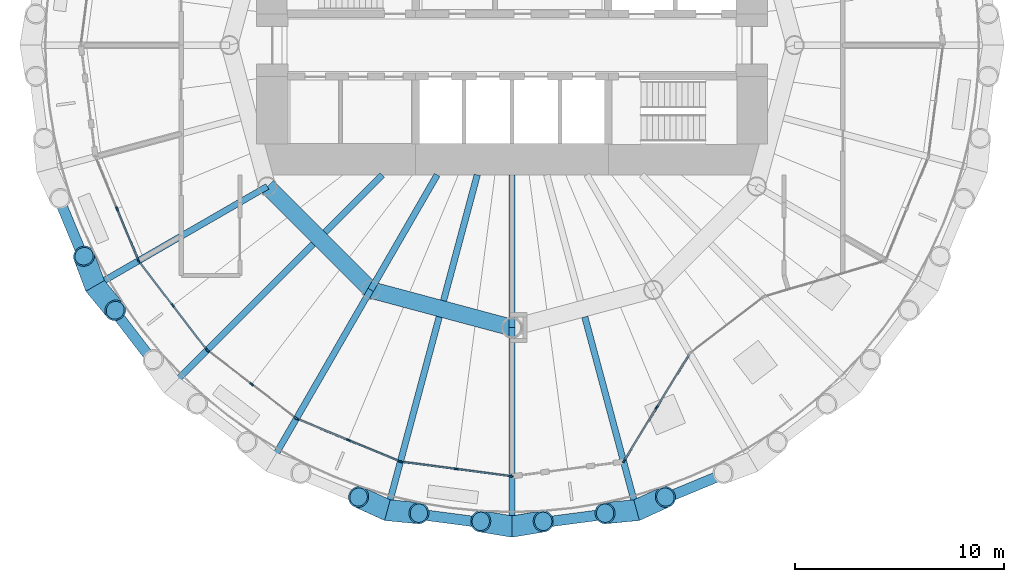
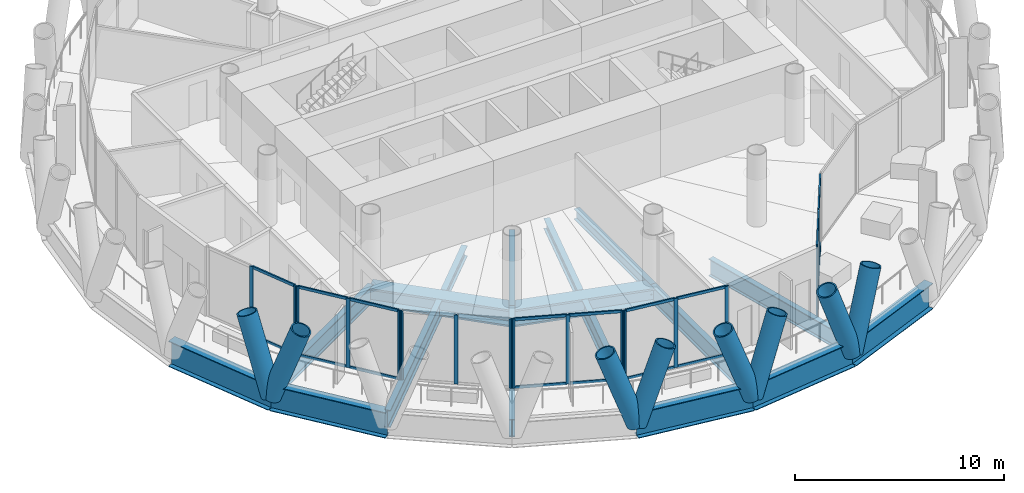
# One storey, part 2 of 14: 42 members, 17 beams, 6 elements without a shape of their own.
"""IFC4 building model written with IfcOpenShell, lengths in metres."""

from ifc_helpers import new_model, si_unit, direction, frame, origin, origin_2d, place, context, subcontext, project, spatial, rectangle, hollow_circle, i_section, extrude, material, material_profile, profile_set, type_object, element, aggregate, save


model = new_model("IFC4")

# Units and contexts
model_context = context("Model", 3, precision=1e-05, world=origin(), true_north=direction((0.0, 1.0)))
body_context = subcontext(model_context, "Body", "Model", "MODEL_VIEW")
ifc_project = project(units=[si_unit("LENGTHUNIT", "METRE"), si_unit("AREAUNIT", "SQUARE_METRE"), si_unit("VOLUMEUNIT", "CUBIC_METRE"), si_unit("PLANEANGLEUNIT", "RADIAN"), si_unit("MASSUNIT", "GRAM", prefix="KILO")], contexts=[model_context])

# Site, building, storey
site_placement = place(None, origin())
site = spatial("IfcSite", under=ifc_project, at=site_placement, CompositionType="ELEMENT")
building_placement = place(site_placement, origin())
building = spatial("IfcBuilding", under=site, at=building_placement, Name="Qaws Media Tower", CompositionType="ELEMENT")
storey_placement = place(building_placement, frame((0.0, 0.0, 210.800048828125)))
storey = spatial("IfcBuildingStorey", under=building, at=storey_placement, Name="L48", CompositionType="ELEMENT", Elevation=210.800048828125)

# Curtain wall, members
ifc_material_1 = material(Name="Aluminium and clear glass", Category="aluminium")
curtain_wall_type_1 = type_object("IfcCurtainWallType", Name="Unitised curtain wall CW-C", PredefinedType="NOTDEFINED", material=ifc_material_1)
curtain_wall_1_placement = place(storey_placement, origin())
curtain_wall_1 = element("IfcCurtainWall", 1, at=curtain_wall_1_placement, inside=storey, type_object=curtain_wall_type_1, Name="CWC curtain wall L48-14", PredefinedType="NOTDEFINED")
ifc_material_2 = material(Name="Aluminium mullion", Category="aluminium")
ifc_material_profile_1 = material_profile(ifc_material_2, rectangle(XDim=0.080078125, YDim=0.199951171875, at=origin_2d()), Name="80x200")
ifc_profile_set_1 = profile_set([ifc_material_profile_1], Name="Aluminium mullion")
member_type_1 = type_object("IfcMemberType", Name="Curtain wall mullion 80x200", PredefinedType="MULLION", material=ifc_profile_set_1)
member_1_placement = place(storey_placement, frame((41.130859375, 42.18408203125, 0.0), z_axis=(0.0, 0.0, 1.0), x_axis=(0.923879521985, 0.382683457778, 0.0)))
member_1 = element("IfcMember", 2, at=member_1_placement, type_object=member_type_1, Name="CWC mullion 2", PredefinedType="MULLION", context=body_context, shape_type="SweptSolid", body=[
    extrude(rectangle(XDim=0.080078125, YDim=0.199951171875, at=origin_2d()), origin(), (0.0, 0.0, 1.0), 4.0400390625),
])
member_2_placement = place(storey_placement, frame((42.14453125, 39.737060546875, 0.0), z_axis=(0.0, 0.0, 1.0), x_axis=(0.923879521985, 0.382683457778, 0.0)))
member_2 = element("IfcMember", 3, at=member_2_placement, type_object=member_type_1, Name="CWC mullion 3", PredefinedType="MULLION", context=body_context, shape_type="SweptSolid", body=[
    extrude(rectangle(XDim=0.080078125, YDim=0.199951171875, at=origin_2d()), origin(), (0.0, 0.0, 1.0), 4.0400390625),
])

curtain_wall_2_placement = place(storey_placement, origin())
curtain_wall_2 = element("IfcCurtainWall", 4, at=curtain_wall_2_placement, inside=storey, type_object=curtain_wall_type_1, Name="CWC curtain wall L48-15", PredefinedType="NOTDEFINED")
member_3_placement = place(storey_placement, frame((42.184326171875, 39.668212890625, 0.0), z_axis=(0.0, 0.0, 1.0), x_axis=(0.793353417662, 0.608761328178, 0.0)))
member_3 = element("IfcMember", 5, at=member_3_placement, type_object=member_type_1, Name="CWC mullion 1", PredefinedType="MULLION", context=body_context, shape_type="SweptSolid", body=[
    extrude(rectangle(XDim=0.080078125, YDim=0.199951171875, at=origin_2d()), origin(), (0.0, 0.0, 1.0), 4.0400390625),
])
member_4_placement = place(storey_placement, frame((43.796630859375, 37.56689453125, 0.0), z_axis=(0.0, 0.0, 1.0), x_axis=(0.793353417662, 0.608761328178, 0.0)))
member_4 = element("IfcMember", 6, at=member_4_placement, type_object=member_type_1, Name="CWC mullion 2", PredefinedType="MULLION", context=body_context, shape_type="SweptSolid", body=[
    extrude(rectangle(XDim=0.080078125, YDim=0.199951171875, at=origin_2d()), origin(), (0.0, 0.0, 1.0), 4.0400390625),
])
member_5_placement = place(storey_placement, frame((45.4091796875, 35.46533203125, 0.0), z_axis=(0.0, 0.0, 1.0), x_axis=(0.793353417662, 0.608761328178, 0.0)))
member_5 = element("IfcMember", 7, at=member_5_placement, type_object=member_type_1, Name="CWC mullion 3", PredefinedType="MULLION", context=body_context, shape_type="SweptSolid", body=[
    extrude(rectangle(XDim=0.080078125, YDim=0.199951171875, at=origin_2d()), origin(), (0.0, 0.0, 1.0), 4.0400390625),
])

curtain_wall_3_placement = place(storey_placement, origin())
curtain_wall_3 = element("IfcCurtainWall", 8, at=curtain_wall_3_placement, inside=storey, type_object=curtain_wall_type_1, Name="CWC curtain wall L48-16", PredefinedType="NOTDEFINED")
member_6_placement = place(storey_placement, frame((45.46533203125, 35.4091796875, 0.0), z_axis=(0.0, 0.0, 1.0), x_axis=(0.608761328178, 0.793353417662, 0.0)))
member_6 = element("IfcMember", 9, at=member_6_placement, type_object=member_type_1, Name="CWC mullion 1", PredefinedType="MULLION", context=body_context, shape_type="SweptSolid", body=[
    extrude(rectangle(XDim=0.080078125, YDim=0.199951171875, at=origin_2d()), origin(), (0.0, 0.0, 1.0), 4.0400390625),
])
member_7_placement = place(storey_placement, frame((47.56689453125, 33.796630859375, 0.0), z_axis=(0.0, 0.0, 1.0), x_axis=(0.608761328178, 0.793353417662, 0.0)))
member_7 = element("IfcMember", 10, at=member_7_placement, type_object=member_type_1, Name="CWC mullion 2", PredefinedType="MULLION", context=body_context, shape_type="SweptSolid", body=[
    extrude(rectangle(XDim=0.080078125, YDim=0.199951171875, at=origin_2d()), origin(), (0.0, 0.0, 1.0), 4.0400390625),
])
member_8_placement = place(storey_placement, frame((49.668212890625, 32.184326171875, 0.0), z_axis=(0.0, 0.0, 1.0), x_axis=(0.608761328178, 0.793353417662, 0.0)))
member_8 = element("IfcMember", 11, at=member_8_placement, type_object=member_type_1, Name="CWC mullion 3", PredefinedType="MULLION", context=body_context, shape_type="SweptSolid", body=[
    extrude(rectangle(XDim=0.080078125, YDim=0.199951171875, at=origin_2d()), origin(), (0.0, 0.0, 1.0), 4.0400390625),
])
aggregate(curtain_wall_3, [member_6, member_7, member_8])

curtain_wall_4_placement = place(storey_placement, origin())
curtain_wall_4 = element("IfcCurtainWall", 12, at=curtain_wall_4_placement, inside=storey, type_object=curtain_wall_type_1, Name="CWC curtain wall L48-17", PredefinedType="NOTDEFINED")
member_9_placement = place(storey_placement, frame((49.737060546875, 32.14453125, 0.0), z_axis=(0.0, 0.0, 1.0), x_axis=(0.382683457778, 0.923879521985, 0.0)))
member_9 = element("IfcMember", 13, at=member_9_placement, type_object=member_type_1, Name="CWC mullion 1", PredefinedType="MULLION", context=body_context, shape_type="SweptSolid", body=[
    extrude(rectangle(XDim=0.080078125, YDim=0.199951171875, at=origin_2d()), origin(), (0.0, 0.0, 1.0), 4.0400390625),
])
member_10_placement = place(storey_placement, frame((52.18408203125, 31.130859375, 0.0), z_axis=(0.0, 0.0, 1.0), x_axis=(0.382683457778, 0.923879521985, 0.0)))
member_10 = element("IfcMember", 14, at=member_10_placement, type_object=member_type_1, Name="CWC mullion 2", PredefinedType="MULLION", context=body_context, shape_type="SweptSolid", body=[
    extrude(rectangle(XDim=0.080078125, YDim=0.199951171875, at=origin_2d()), origin(), (0.0, 0.0, 1.0), 4.0400390625),
])
member_11_placement = place(storey_placement, frame((54.63134765625, 30.1171875, 0.0), z_axis=(0.0, 0.0, 1.0), x_axis=(0.382683457778, 0.923879521985, 0.0)))
member_11 = element("IfcMember", 15, at=member_11_placement, type_object=member_type_1, Name="CWC mullion 3", PredefinedType="MULLION", context=body_context, shape_type="SweptSolid", body=[
    extrude(rectangle(XDim=0.080078125, YDim=0.199951171875, at=origin_2d()), origin(), (0.0, 0.0, 1.0), 4.0400390625),
])

curtain_wall_5_placement = place(storey_placement, origin())
curtain_wall_5 = element("IfcCurtainWall", 16, at=curtain_wall_5_placement, inside=storey, type_object=curtain_wall_type_1, Name="CWC curtain wall L48-18", PredefinedType="NOTDEFINED")
member_12_placement = place(storey_placement, frame((54.7080078125, 30.0966796875, 0.0), z_axis=(0.0, 0.0, 1.0), x_axis=(0.130526204073, 0.991444859813, 0.0)))
member_12 = element("IfcMember", 17, at=member_12_placement, type_object=member_type_1, Name="CWC mullion 1", PredefinedType="MULLION", context=body_context, shape_type="SweptSolid", body=[
    extrude(rectangle(XDim=0.080078125, YDim=0.199951171875, at=origin_2d()), origin(), (0.0, 0.0, 1.0), 4.0400390625),
])
member_13_placement = place(storey_placement, frame((57.334228515625, 29.7509765625, 0.0), z_axis=(0.0, 0.0, 1.0), x_axis=(0.130526204073, 0.991444859813, 0.0)))
member_13 = element("IfcMember", 18, at=member_13_placement, type_object=member_type_1, Name="CWC mullion 2", PredefinedType="MULLION", context=body_context, shape_type="SweptSolid", body=[
    extrude(rectangle(XDim=0.080078125, YDim=0.199951171875, at=origin_2d()), origin(), (0.0, 0.0, 1.0), 4.0400390625),
])
member_14_placement = place(storey_placement, frame((59.96044921875, 29.4052734375, 0.0), z_axis=(0.0, 0.0, 1.0), x_axis=(0.130526204073, 0.991444859813, 0.0)))
member_14 = element("IfcMember", 19, at=member_14_placement, type_object=member_type_1, Name="CWC mullion 3", PredefinedType="MULLION", context=body_context, shape_type="SweptSolid", body=[
    extrude(rectangle(XDim=0.080078125, YDim=0.199951171875, at=origin_2d()), origin(), (0.0, 0.0, 1.0), 4.0400390625),
])

ifc_material_3 = material(Name="Aluminium and clear glass", Category="aluminium")
curtain_wall_type_2 = type_object("IfcCurtainWallType", Name="Loggia curtain wall CW-G", PredefinedType="NOTDEFINED", material=ifc_material_3)
curtain_wall_6_placement = place(storey_placement, origin())
curtain_wall_6 = element("IfcCurtainWall", 20, at=curtain_wall_6_placement, inside=storey, type_object=curtain_wall_type_2, Name="CWG curtain wall L48-20", PredefinedType="NOTDEFINED")
member_15_placement = place(storey_placement, frame((65.3525390625, 30.135986328125, 0.0), z_axis=(0.0, 0.0, 1.0), x_axis=(-0.85288294419, 0.52210217727, 0.0)))
member_15 = element("IfcMember", 21, at=member_15_placement, type_object=member_type_1, Name="CWG mullion 1", PredefinedType="MULLION", context=body_context, shape_type="SweptSolid", body=[
    extrude(rectangle(XDim=0.080078125, YDim=0.199951171875, at=origin_2d()), origin(), (0.0, 0.0, 1.0), 4.0400390625),
])
member_16_placement = place(storey_placement, frame((66.915771484375, 32.689697265625, 0.0), z_axis=(0.0, 0.0, 1.0), x_axis=(-0.85288294419, 0.52210217727, 0.0)))
member_16 = element("IfcMember", 22, at=member_16_placement, type_object=member_type_1, Name="CWG mullion 2", PredefinedType="MULLION", context=body_context, shape_type="SweptSolid", body=[
    extrude(rectangle(XDim=0.080078125, YDim=0.199951171875, at=origin_2d()), origin(), (0.0, 0.0, 1.0), 4.0400390625),
])

# Member
ifc_material_4 = material(Name="Aluminium transom", Category="aluminium")
ifc_material_profile_2 = material_profile(ifc_material_4, rectangle(XDim=0.080078125, YDim=0.159912109375, at=origin_2d()), Name="80x160")
ifc_profile_set_2 = profile_set([ifc_material_profile_2], Name="Aluminium transom")
member_type_2 = type_object("IfcMemberType", Name="Curtain wall transom 80x160", PredefinedType="USERDEFINED", material=ifc_profile_set_2)
member_17_placement = place(storey_placement, frame((41.146240234375, 42.147216796875, 0.0400390625), z_axis=(0.382637188535, -0.923898685977, 0.0), x_axis=(0.923898685977, 0.382637188535, 0.0)))
member_17 = element("IfcMember", 23, at=member_17_placement, type_object=member_type_2, Name="CWC transom 2.1", ObjectType="TRANSOM", PredefinedType="USERDEFINED", context=body_context, shape_type="SweptSolid", body=[
    extrude(rectangle(XDim=0.080078125, YDim=0.159912109375, at=origin_2d()), origin(), (0.0, 0.0, 1.0), 2.56884765625),
])

member_18_placement = place(storey_placement, frame((41.146240234375, 42.147216796875, 4.0), z_axis=(0.382637188535, -0.923898685977, 0.0), x_axis=(0.923898685977, 0.382637188535, 0.0)))
member_18 = element("IfcMember", 24, at=member_18_placement, type_object=member_type_2, Name="CWC transom 2.2", ObjectType="TRANSOM", PredefinedType="USERDEFINED", context=body_context, shape_type="SweptSolid", body=[
    extrude(rectangle(XDim=0.080078125, YDim=0.159912109375, at=origin_2d()), origin(), (0.0, 0.0, 1.0), 2.56884765625),
])

aggregate(curtain_wall_1, [member_1, member_2, member_17, member_18])

member_19_placement = place(storey_placement, frame((42.20849609375, 39.636474609375, 0.0400390625), z_axis=(0.608828522039, -0.793301853491, 0.0), x_axis=(0.793301853491, 0.608828522039, 0.0)))
member_19 = element("IfcMember", 25, at=member_19_placement, type_object=member_type_2, Name="CWC transom 1.1", ObjectType="TRANSOM", PredefinedType="USERDEFINED", context=body_context, shape_type="SweptSolid", body=[
    extrude(rectangle(XDim=0.080078125, YDim=0.159912109375, at=origin_2d()), origin(), (0.0, 0.0, 1.0), 2.56884765625),
])

member_20_placement = place(storey_placement, frame((42.20849609375, 39.636474609375, 4.0), z_axis=(0.608828522039, -0.793301853491, 0.0), x_axis=(0.793301853491, 0.608828522039, 0.0)))
member_20 = element("IfcMember", 26, at=member_20_placement, type_object=member_type_2, Name="CWC transom 1.2", ObjectType="TRANSOM", PredefinedType="USERDEFINED", context=body_context, shape_type="SweptSolid", body=[
    extrude(rectangle(XDim=0.080078125, YDim=0.159912109375, at=origin_2d()), origin(), (0.0, 0.0, 1.0), 2.56884765625),
])

member_21_placement = place(storey_placement, frame((43.821044921875, 37.53515625, 0.0400390625), z_axis=(0.608782621434, -0.793337078322, 0.0), x_axis=(0.793337078322, 0.608782621434, 0.0)))
member_21 = element("IfcMember", 27, at=member_21_placement, type_object=member_type_2, Name="CWC transom 2.1", ObjectType="TRANSOM", PredefinedType="USERDEFINED", context=body_context, shape_type="SweptSolid", body=[
    extrude(rectangle(XDim=0.080078125, YDim=0.159912109375, at=origin_2d()), origin(), (0.0, 0.0, 1.0), 2.569091796875),
])

member_22_placement = place(storey_placement, frame((43.821044921875, 37.53515625, 4.0), z_axis=(0.608782621434, -0.793337078322, 0.0), x_axis=(0.793337078322, 0.608782621434, 0.0)))
member_22 = element("IfcMember", 28, at=member_22_placement, type_object=member_type_2, Name="CWC transom 2.2", ObjectType="TRANSOM", PredefinedType="USERDEFINED", context=body_context, shape_type="SweptSolid", body=[
    extrude(rectangle(XDim=0.080078125, YDim=0.159912109375, at=origin_2d()), origin(), (0.0, 0.0, 1.0), 2.569091796875),
])

aggregate(curtain_wall_2, [member_3, member_4, member_5, member_19, member_20, member_21, member_22])

member_23_placement = place(storey_placement, frame((49.77392578125, 32.129150390625, 0.0400390625), z_axis=(0.923898685977, -0.382637188535, 0.0), x_axis=(0.382637188535, 0.923898685977, 0.0)))
member_23 = element("IfcMember", 29, at=member_23_placement, type_object=member_type_2, Name="CWC transom 1.1", ObjectType="TRANSOM", PredefinedType="USERDEFINED", context=body_context, shape_type="SweptSolid", body=[
    extrude(rectangle(XDim=0.080078125, YDim=0.159912109375, at=origin_2d()), origin(), (0.0, 0.0, 1.0), 2.56884765625),
])

member_24_placement = place(storey_placement, frame((49.77392578125, 32.129150390625, 4.0), z_axis=(0.923898685977, -0.382637188535, 0.0), x_axis=(0.382637188535, 0.923898685977, 0.0)))
member_24 = element("IfcMember", 30, at=member_24_placement, type_object=member_type_2, Name="CWC transom 1.2", ObjectType="TRANSOM", PredefinedType="USERDEFINED", context=body_context, shape_type="SweptSolid", body=[
    extrude(rectangle(XDim=0.080078125, YDim=0.159912109375, at=origin_2d()), origin(), (0.0, 0.0, 1.0), 2.56884765625),
])

member_25_placement = place(storey_placement, frame((52.22119140625, 31.115478515625, 0.0400390625), z_axis=(0.923898685977, -0.382637188535, 0.0), x_axis=(0.382637188535, 0.923898685977, 0.0)))
member_25 = element("IfcMember", 31, at=member_25_placement, type_object=member_type_2, Name="CWC transom 2.1", ObjectType="TRANSOM", PredefinedType="USERDEFINED", context=body_context, shape_type="SweptSolid", body=[
    extrude(rectangle(XDim=0.080078125, YDim=0.159912109375, at=origin_2d()), origin(), (0.0, 0.0, 1.0), 2.56884765625),
])

member_26_placement = place(storey_placement, frame((52.22119140625, 31.115478515625, 4.0), z_axis=(0.923898685977, -0.382637188535, 0.0), x_axis=(0.382637188535, 0.923898685977, 0.0)))
member_26 = element("IfcMember", 32, at=member_26_placement, type_object=member_type_2, Name="CWC transom 2.2", ObjectType="TRANSOM", PredefinedType="USERDEFINED", context=body_context, shape_type="SweptSolid", body=[
    extrude(rectangle(XDim=0.080078125, YDim=0.159912109375, at=origin_2d()), origin(), (0.0, 0.0, 1.0), 2.56884765625),
])

aggregate(curtain_wall_4, [member_9, member_10, member_11, member_23, member_24, member_25, member_26])

member_27_placement = place(storey_placement, frame((54.74755859375, 30.091552734375, 0.0400390625), z_axis=(0.991437466398, -0.130582350348, 0.0), x_axis=(0.130582350348, 0.991437466398, 0.0)))
member_27 = element("IfcMember", 33, at=member_27_placement, type_object=member_type_2, Name="CWC transom 1.1", ObjectType="TRANSOM", PredefinedType="USERDEFINED", context=body_context, shape_type="SweptSolid", body=[
    extrude(rectangle(XDim=0.080078125, YDim=0.159912109375, at=origin_2d()), origin(), (0.0, 0.0, 1.0), 2.56884765625),
])

member_28_placement = place(storey_placement, frame((54.74755859375, 30.091552734375, 4.0), z_axis=(0.991437466398, -0.130582350348, 0.0), x_axis=(0.130582350348, 0.991437466398, 0.0)))
member_28 = element("IfcMember", 34, at=member_28_placement, type_object=member_type_2, Name="CWC transom 1.2", ObjectType="TRANSOM", PredefinedType="USERDEFINED", context=body_context, shape_type="SweptSolid", body=[
    extrude(rectangle(XDim=0.080078125, YDim=0.159912109375, at=origin_2d()), origin(), (0.0, 0.0, 1.0), 2.56884765625),
])

member_29_placement = place(storey_placement, frame((57.373779296875, 29.745849609375, 0.0400390625), z_axis=(0.991437466398, -0.130582350348, 0.0), x_axis=(0.130582350348, 0.991437466398, 0.0)))
member_29 = element("IfcMember", 35, at=member_29_placement, type_object=member_type_2, Name="CWC transom 2.1", ObjectType="TRANSOM", PredefinedType="USERDEFINED", context=body_context, shape_type="SweptSolid", body=[
    extrude(rectangle(XDim=0.080078125, YDim=0.159912109375, at=origin_2d()), origin(), (0.0, 0.0, 1.0), 2.56884765625),
])

member_30_placement = place(storey_placement, frame((57.373779296875, 29.745849609375, 4.0), z_axis=(0.991437466398, -0.130582350348, 0.0), x_axis=(0.130582350348, 0.991437466398, 0.0)))
member_30 = element("IfcMember", 36, at=member_30_placement, type_object=member_type_2, Name="CWC transom 2.2", ObjectType="TRANSOM", PredefinedType="USERDEFINED", context=body_context, shape_type="SweptSolid", body=[
    extrude(rectangle(XDim=0.080078125, YDim=0.159912109375, at=origin_2d()), origin(), (0.0, 0.0, 1.0), 2.56884765625),
])

aggregate(curtain_wall_5, [member_12, member_13, member_14, member_27, member_28, member_29, member_30])

member_31_placement = place(storey_placement, frame((65.37353515625, 30.170166015625, 0.0400390625), z_axis=(0.522114063156, 0.852875667993, 0.0), x_axis=(-0.852875667993, 0.522114063156, 0.0)))
member_31 = element("IfcMember", 37, at=member_31_placement, type_object=member_type_2, Name="CWG transom 1.1", ObjectType="TRANSOM", PredefinedType="USERDEFINED", context=body_context, shape_type="SweptSolid", body=[
    extrude(rectangle(XDim=0.080078125, YDim=0.159912109375, at=origin_2d()), origin(), (0.0, 0.0, 1.0), 2.9140625),
])

member_32_placement = place(storey_placement, frame((65.37353515625, 30.170166015625, 4.0), z_axis=(0.522114063156, 0.852875667993, 0.0), x_axis=(-0.852875667993, 0.522114063156, 0.0)))
member_32 = element("IfcMember", 38, at=member_32_placement, type_object=member_type_2, Name="CWG transom 1.2", ObjectType="TRANSOM", PredefinedType="USERDEFINED", context=body_context, shape_type="SweptSolid", body=[
    extrude(rectangle(XDim=0.080078125, YDim=0.159912109375, at=origin_2d()), origin(), (0.0, 0.0, 1.0), 2.9140625),
])

member_33_placement = place(storey_placement, frame((66.936767578125, 32.723876953125, 0.0400390625), z_axis=(0.522114063156, 0.852875667993, 0.0), x_axis=(-0.852875667993, 0.522114063156, 0.0)))
member_33 = element("IfcMember", 39, at=member_33_placement, type_object=member_type_2, Name="CWG transom 2.1", ObjectType="TRANSOM", PredefinedType="USERDEFINED", context=body_context, shape_type="SweptSolid", body=[
    extrude(rectangle(XDim=0.080078125, YDim=0.159912109375, at=origin_2d()), origin(), (0.0, 0.0, 1.0), 2.9140625),
])

member_34_placement = place(storey_placement, frame((66.936767578125, 32.723876953125, 4.0), z_axis=(0.522114063156, 0.852875667993, 0.0), x_axis=(-0.852875667993, 0.522114063156, 0.0)))
member_34 = element("IfcMember", 40, at=member_34_placement, type_object=member_type_2, Name="CWG transom 2.2", ObjectType="TRANSOM", PredefinedType="USERDEFINED", context=body_context, shape_type="SweptSolid", body=[
    extrude(rectangle(XDim=0.080078125, YDim=0.159912109375, at=origin_2d()), origin(), (0.0, 0.0, 1.0), 2.9140625),
])

aggregate(curtain_wall_6, [member_15, member_16, member_31, member_32, member_33, member_34])

# Members
ifc_material_5 = material(Name="Steel S460", Category="steel")
ifc_material_profile_3 = material_profile(ifc_material_5, hollow_circle(Radius=0.508056640625, WallThickness=0.070068359375, at=origin_2d()), Name="CHS 1016x70")
ifc_profile_set_3 = profile_set([ifc_material_profile_3], Name="Steel S460")
member_type_3 = type_object("IfcMemberType", Name="Diagrid member CHS 1016x70", PredefinedType="USERDEFINED", material=ifc_profile_set_3)
member_35_placement = place(storey_placement, frame((40.081298828125, 38.5, -0.91015625), z_axis=(0.215318005555, -0.26142241975, 0.940901947567), x_axis=(0.771888281677, 0.635758193506, 0.0)))
element("IfcMember", 41, at=member_35_placement, inside=storey, type_object=member_type_3, Name="DG3 diagrid L48 A15", ObjectType="DIAGRID", PredefinedType="USERDEFINED", context=body_context, shape_type="SweptSolid", body=[
    extrude(hollow_circle(Radius=0.508056640625, WallThickness=0.070068359375, at=origin_2d()), origin(), (0.0, 0.0, 1.0), 4.464111328125),
])
member_36_placement = place(storey_placement, frame((40.081298828125, 38.5, -0.91015625), z_axis=(-0.118735101088, 0.317155620088, 0.940911413692), x_axis=(-0.936521506009, -0.350610137877, 0.0)))
element("IfcMember", 42, at=member_36_placement, inside=storey, type_object=member_type_3, Name="DG3 diagrid L48 B15", ObjectType="DIAGRID", PredefinedType="USERDEFINED", context=body_context, shape_type="SweptSolid", body=[
    extrude(hollow_circle(Radius=0.508056640625, WallThickness=0.070068359375, at=origin_2d()), origin(), (0.0, 0.0, 1.0), 4.4638671875),
])
member_37_placement = place(storey_placement, frame((54.047119140625, 27.78369140625, -0.91015625), z_axis=(0.337113722769, -0.032595681176, 0.940899494893), x_axis=(0.096241623704, 0.995358000855, 0.0)))
element("IfcMember", 43, at=member_37_placement, inside=storey, type_object=member_type_3, Name="DG3 diagrid L48 A18", ObjectType="DIAGRID", PredefinedType="USERDEFINED", context=body_context, shape_type="SweptSolid", body=[
    extrude(hollow_circle(Radius=0.508056640625, WallThickness=0.070068359375, at=origin_2d()), origin(), (0.0, 0.0, 1.0), 4.464111328125),
])
member_38_placement = place(storey_placement, frame((54.047119140625, 27.78369140625, -0.91015625), z_axis=(-0.308239958096, 0.140283089517, 0.940908488127), x_axis=(-0.414228753041, -0.910172807852, 0.0)))
element("IfcMember", 44, at=member_38_placement, inside=storey, type_object=member_type_3, Name="DG3 diagrid L48 B18", ObjectType="DIAGRID", PredefinedType="USERDEFINED", context=body_context, shape_type="SweptSolid", body=[
    extrude(hollow_circle(Radius=0.508056640625, WallThickness=0.070068359375, at=origin_2d()), origin(), (0.0, 0.0, 1.0), 4.4638671875),
])
for number, where, z_axis, x_axis, name in (
    (45, (60.0, 27.0, -0.91015625), (0.334053083144, 0.055730204932, 0.940905245973), (-0.164556108523, 0.986367724101, 0.0), "DG3 diagrid L48 A19"),
    (46, (60.0, 27.0, -0.91015625), (-0.334053083144, 0.055730204932, 0.940905245973), (-0.164556108523, -0.986367724101, 0.0), "DG3 diagrid L48 B19"),
):
    element("IfcMember", number, at=place(storey_placement, frame(where, z_axis=z_axis, x_axis=x_axis)), inside=storey, type_object=member_type_3, Name=name, ObjectType="DIAGRID", PredefinedType="USERDEFINED", context=body_context, shape_type="SweptSolid", body=[
        extrude(hollow_circle(Radius=0.508056640625, WallThickness=0.070068359375, at=origin_2d()), origin(), (0.0, 0.0, 1.0), 4.464111328125),
    ])
member_39_placement = place(storey_placement, frame((65.952880859375, 27.78369140625, -0.91015625), z_axis=(0.308239958096, 0.140283089517, 0.940908488127), x_axis=(-0.414228753041, 0.910172807852, 0.0)))
element("IfcMember", 47, at=member_39_placement, inside=storey, type_object=member_type_3, Name="DG3 diagrid L48 A20", ObjectType="DIAGRID", PredefinedType="USERDEFINED", context=body_context, shape_type="SweptSolid", body=[
    extrude(hollow_circle(Radius=0.508056640625, WallThickness=0.070068359375, at=origin_2d()), origin(), (0.0, 0.0, 1.0), 4.4638671875),
])
member_40_placement = place(storey_placement, frame((65.952880859375, 27.78369140625, -0.91015625), z_axis=(-0.337113722769, -0.032595681176, 0.940899494893), x_axis=(0.096241623704, -0.995358000855, 0.0)))
element("IfcMember", 48, at=member_40_placement, inside=storey, type_object=member_type_3, Name="DG3 diagrid L48 B20", ObjectType="DIAGRID", PredefinedType="USERDEFINED", context=body_context, shape_type="SweptSolid", body=[
    extrude(hollow_circle(Radius=0.508056640625, WallThickness=0.070068359375, at=origin_2d()), origin(), (0.0, 0.0, 1.0), 4.464111328125),
])

# Beams
ifc_material_6 = material(Name="Steel S460", Category="steel")
ifc_material_profile_4 = material_profile(ifc_material_6, i_section(OverallWidth=0.5, OverallDepth=1.5, WebThickness=0.02001953125, FlangeThickness=0.0400390625, at=origin_2d()), Name="PG 1500x500")
ifc_profile_set_4 = profile_set([ifc_material_profile_4], Name="Steel S460")
beam_type_1 = type_object("IfcBeamType", Name="Edge ring beam PG 1500x500", PredefinedType="BEAM", material=ifc_profile_set_4)
for number, where, z_axis, x_axis, name in (
    (49, (37.78369140625, 44.047119140625, -0.91015625), (0.382671411433, -0.923884511653, 0.0), (0.923884511653, 0.382671411433, 0.0), "RB4 edge ring beam L48-14"),
    (50, (40.081298828125, 38.5, -0.91015625), (0.608778912074, -0.793339924758, 0.0), (0.793339924758, 0.608778912074, 0.0), "RB4 edge ring beam L48-15"),
    (51, (54.047119140625, 27.78369140625, -0.91015625), (0.991445297315, -0.130522880875, 0.0), (0.130522880875, 0.991445297315, 0.0), "RB4 edge ring beam L48-18"),
    (52, (60.0, 27.0, -0.91015625), (0.991445297315, 0.130522880875, 0.0), (-0.130522880875, 0.991445297315, 0.0), "RB4 edge ring beam L48-19"),
    (53, (65.952880859375, 27.78369140625, -0.91015625), (0.923884511653, 0.382671411433, 0.0), (-0.382671411433, 0.923884511653, 0.0), "RB4 edge ring beam L48-20"),
):
    element("IfcBeam", number, at=place(storey_placement, frame(where, z_axis=z_axis, x_axis=x_axis)), inside=storey, type_object=beam_type_1, Name=name, PredefinedType="BEAM", context=body_context, shape_type="SweptSolid", body=[
        extrude(i_section(OverallWidth=0.5, OverallDepth=1.5, WebThickness=0.02001953125, FlangeThickness=0.0400390625, at=origin_2d()), origin(), (0.0, 0.0, 1.0), 6.004150390625),
    ])
ifc_material_7 = material(Name="Steel S460", Category="steel")
ifc_material_profile_5 = material_profile(ifc_material_7, i_section(OverallWidth=0.800048828125, OverallDepth=1.0, WebThickness=0.0400390625, FlangeThickness=0.10009765625, at=origin_2d()), Name="PG 1000x800")
ifc_profile_set_5 = profile_set([ifc_material_profile_5], Name="Steel S460")
beam_type_2 = type_object("IfcBeamType", Name="Inner ring girder PG 1000x800", PredefinedType="BEAM", material=ifc_profile_set_5)
beam_1_placement = place(storey_placement, frame((48.30859375, 43.25, -0.66015625), z_axis=(0.707106781187, -0.707106781187, 0.0), x_axis=(0.707106781187, 0.707106781187, 0.0)))
element("IfcBeam", 54, at=beam_1_placement, inside=storey, type_object=beam_type_2, Name="B3 inner ring beam L48 I08-I09", PredefinedType="BEAM", context=body_context, shape_type="SweptSolid", body=[
    extrude(i_section(OverallWidth=0.800048828125, OverallDepth=1.0, WebThickness=0.0400390625, FlangeThickness=0.10009765625, at=origin_2d()), origin(), (0.0, 0.0, 1.0), 6.98828125),
])
beam_2_placement = place(storey_placement, frame((53.25, 38.30859375, -0.66015625), z_axis=(0.965928090778, -0.258810593767, 0.0), x_axis=(0.258810593767, 0.965928090778, 0.0)))
element("IfcBeam", 55, at=beam_2_placement, inside=storey, type_object=beam_type_2, Name="B3 inner ring beam L48 I09-I10", PredefinedType="BEAM", context=body_context, shape_type="SweptSolid", body=[
    extrude(i_section(OverallWidth=0.800048828125, OverallDepth=1.0, WebThickness=0.0400390625, FlangeThickness=0.10009765625, at=origin_2d()), origin(), (0.0, 0.0, 1.0), 6.988037109375),
])
ifc_material_8 = material(Name="Steel S355", Category="steel")
ifc_material_profile_6 = material_profile(ifc_material_8, i_section(OverallWidth=0.302001953125, OverallDepth=1.008056640625, WebThickness=0.02099609375, FlangeThickness=0.0400390625, FilletRadius=0.030029296875, at=origin_2d()), Name="HE 1000 M")
ifc_profile_set_6 = profile_set([ifc_material_profile_6], Name="Steel S355")
beam_type_3 = type_object("IfcBeamType", Name="Radial beam HE 1000 M", PredefinedType="BEAM", material=ifc_profile_set_6)
beam_3_placement = place(storey_placement, frame((48.30859375, 43.25, -0.6640625), z_axis=(-0.86602681393, -0.499997557548, 0.0), x_axis=(0.499997557548, -0.86602681393, 0.0)))
element("IfcBeam", 56, at=beam_3_placement, inside=storey, type_object=beam_type_3, Name="B1 radial beam L48 15", PredefinedType="BEAM", context=body_context, shape_type="SweptSolid", body=[
    extrude(i_section(OverallWidth=0.302001953125, OverallDepth=1.008056640625, WebThickness=0.02099609375, FlangeThickness=0.0400390625, FilletRadius=0.030029296875, at=origin_2d()), origin(), (0.0, 0.0, 1.0), 9.5),
])
beam_4_placement = place(storey_placement, frame((50.49658203125, 40.49658203125, -0.6640625), z_axis=(-0.707106781187, -0.707106781187, 0.0), x_axis=(0.707106781187, -0.707106781187, 0.0)))
element("IfcBeam", 57, at=beam_4_placement, inside=storey, type_object=beam_type_3, Name="B1 radial beam L48 16", PredefinedType="BEAM", context=body_context, shape_type="SweptSolid", body=[
    extrude(i_section(OverallWidth=0.302001953125, OverallDepth=1.008056640625, WebThickness=0.02099609375, FlangeThickness=0.0400390625, FilletRadius=0.030029296875, at=origin_2d()), origin(), (0.0, 0.0, 1.0), 9.56005859375),
])
beam_5_placement = place(storey_placement, frame((53.25, 38.30859375, -0.6640625), z_axis=(-0.499997557548, -0.86602681393, 0.0), x_axis=(0.86602681393, -0.499997557548, 0.0)))
element("IfcBeam", 58, at=beam_5_placement, inside=storey, type_object=beam_type_3, Name="B1 radial beam L48 17", PredefinedType="BEAM", context=body_context, shape_type="SweptSolid", body=[
    extrude(i_section(OverallWidth=0.302001953125, OverallDepth=1.008056640625, WebThickness=0.02099609375, FlangeThickness=0.0400390625, FilletRadius=0.030029296875, at=origin_2d()), origin(), (0.0, 0.0, 1.0), 9.5),
])
beam_6_placement = place(storey_placement, frame((56.521484375, 37.01806640625, -0.6640625), z_axis=(-0.258821183439, -0.965925253321, 0.0), x_axis=(0.965925253321, -0.258821183439, 0.0)))
element("IfcBeam", 59, at=beam_6_placement, inside=storey, type_object=beam_type_3, Name="B1 radial beam L48 18", PredefinedType="BEAM", context=body_context, shape_type="SweptSolid", body=[
    extrude(i_section(OverallWidth=0.302001953125, OverallDepth=1.008056640625, WebThickness=0.02099609375, FlangeThickness=0.0400390625, FilletRadius=0.030029296875, at=origin_2d()), origin(), (0.0, 0.0, 1.0), 9.56005859375),
])
beam_7_placement = place(storey_placement, frame((60.0, 36.5, -0.6640625), z_axis=(0.0, -1.0, 0.0), x_axis=(1.0, 0.0, 0.0)))
element("IfcBeam", 60, at=beam_7_placement, inside=storey, type_object=beam_type_3, Name="B1 radial beam L48 19", PredefinedType="BEAM", context=body_context, shape_type="SweptSolid", body=[
    extrude(i_section(OverallWidth=0.302001953125, OverallDepth=1.008056640625, WebThickness=0.02099609375, FlangeThickness=0.0400390625, FilletRadius=0.030029296875, at=origin_2d()), origin(), (0.0, 0.0, 1.0), 9.5),
])
beam_8_placement = place(storey_placement, frame((63.478515625, 37.01806640625, -0.6640625), z_axis=(0.258821183439, -0.965925253321, 0.0), x_axis=(0.965925253321, 0.258821183439, 0.0)))
element("IfcBeam", 61, at=beam_8_placement, inside=storey, type_object=beam_type_3, Name="B1 radial beam L48 20", PredefinedType="BEAM", context=body_context, shape_type="SweptSolid", body=[
    extrude(i_section(OverallWidth=0.302001953125, OverallDepth=1.008056640625, WebThickness=0.02099609375, FlangeThickness=0.0400390625, FilletRadius=0.030029296875, at=origin_2d()), origin(), (0.0, 0.0, 1.0), 9.56005859375),
])
ifc_material_9 = material(Name="Steel S355", Category="steel")
ifc_material_profile_7 = material_profile(ifc_material_9, i_section(OverallWidth=0.304931640625, OverallDepth=0.6201171875, WebThickness=0.02099609375, FlangeThickness=0.0400390625, FilletRadius=0.027099609375, at=origin_2d()), Name="HE 600 M")
ifc_profile_set_7 = profile_set([ifc_material_profile_7], Name="Steel S355")
beam_type_4 = type_object("IfcBeamType", Name="Radial beam HE 600 M, core side", PredefinedType="BEAM", material=ifc_profile_set_7)
beam_9_placement = place(storey_placement, frame((53.800048828125, 43.800048828125, -0.469970703125), z_axis=(-0.707106781187, -0.707106781187, 0.0), x_axis=(0.707106781187, -0.707106781187, 0.0)))
element("IfcBeam", 62, at=beam_9_placement, inside=storey, type_object=beam_type_4, Name="B2 radial beam L48 16", PredefinedType="BEAM", context=body_context, shape_type="SweptSolid", body=[
    extrude(i_section(OverallWidth=0.304931640625, OverallDepth=0.6201171875, WebThickness=0.02099609375, FlangeThickness=0.0400390625, FilletRadius=0.027099609375, at=origin_2d()), origin(), (0.0, 0.0, 1.0), 3.871826171875),
])
beam_10_placement = place(storey_placement, frame((56.42041015625, 43.800048828125, -0.469970703125), z_axis=(-0.499990193304, -0.866031065609, 0.0), x_axis=(0.866031065609, -0.499990193304, 0.0)))
element("IfcBeam", 63, at=beam_10_placement, inside=storey, type_object=beam_type_4, Name="B2 radial beam L48 17", PredefinedType="BEAM", context=body_context, shape_type="SweptSolid", body=[
    extrude(i_section(OverallWidth=0.304931640625, OverallDepth=0.6201171875, WebThickness=0.02099609375, FlangeThickness=0.0400390625, FilletRadius=0.027099609375, at=origin_2d()), origin(), (0.0, 0.0, 1.0), 6.341064453125),
])
beam_11_placement = place(storey_placement, frame((58.338623046875, 43.800048828125, -0.469970703125), z_axis=(-0.258808008719, -0.965928783412, 0.0), x_axis=(0.965928783412, -0.258808008719, 0.0)))
element("IfcBeam", 64, at=beam_11_placement, inside=storey, type_object=beam_type_4, Name="B2 radial beam L48 18", PredefinedType="BEAM", context=body_context, shape_type="SweptSolid", body=[
    extrude(i_section(OverallWidth=0.304931640625, OverallDepth=0.6201171875, WebThickness=0.02099609375, FlangeThickness=0.0400390625, FilletRadius=0.027099609375, at=origin_2d()), origin(), (0.0, 0.0, 1.0), 6.22119140625),
])
beam_12_placement = place(storey_placement, frame((60.0, 43.800048828125, -0.469970703125), z_axis=(0.0, -1.0, 0.0), x_axis=(1.0, 0.0, 0.0)))
element("IfcBeam", 65, at=beam_12_placement, inside=storey, type_object=beam_type_4, Name="B2 radial beam L48 19", PredefinedType="BEAM", context=body_context, shape_type="SweptSolid", body=[
    extrude(i_section(OverallWidth=0.304931640625, OverallDepth=0.6201171875, WebThickness=0.02099609375, FlangeThickness=0.0400390625, FilletRadius=0.027099609375, at=origin_2d()), origin(), (0.0, 0.0, 1.0), 7.300048828125),
])

save(model, "model.ifc")
